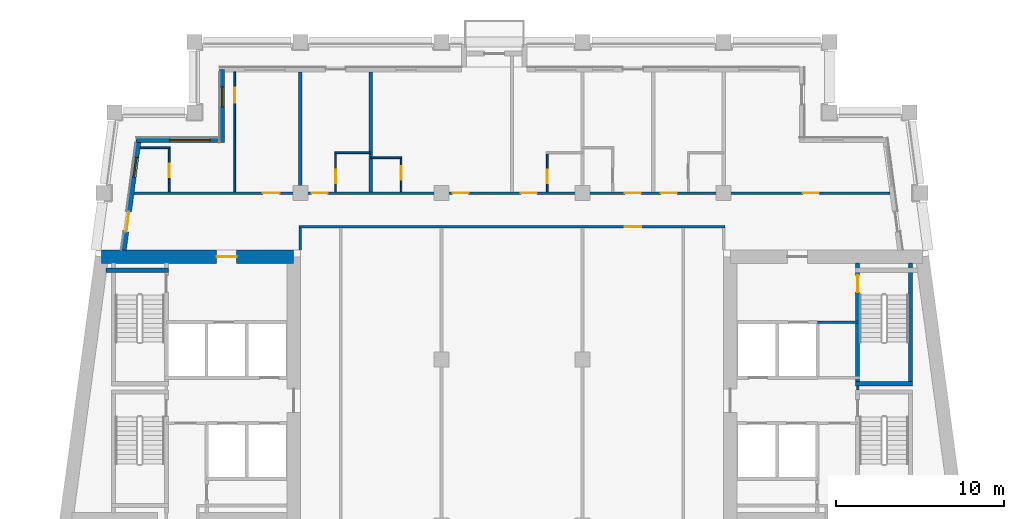
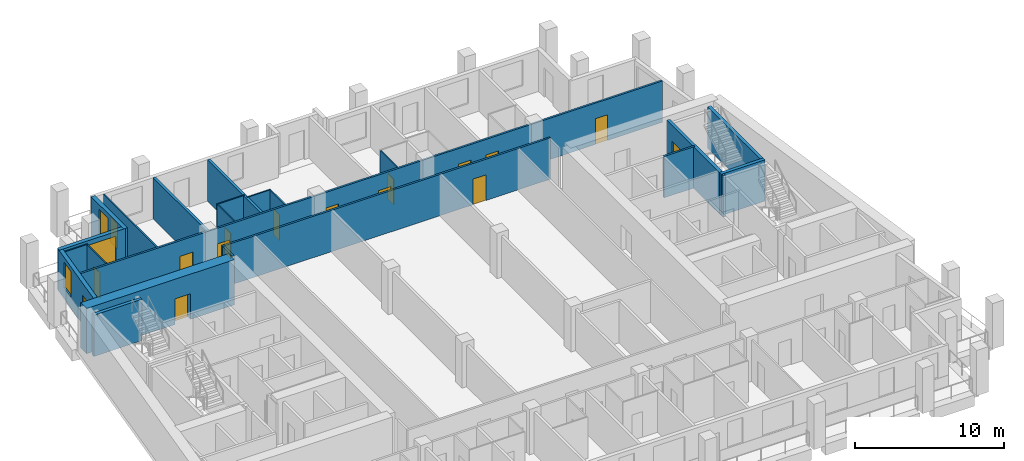
# One storey, part 6 of 13: 23 walls, 16 doors, 3 windows, 19 openings.
"""IFC4 building model written with IfcOpenShell, lengths in metres."""

import ifcopenshell
import ifcopenshell.guid

model = None  # the IFC model being written
_history = None  # IfcOwnerHistory: only IFC2X3 demands one
_inside = {}  # id of a spatial element -> (the spatial element, [elements in it])
_under = {}  # id of a project, library or spatial element -> (it, [spatial elements below it])
_declared = {}  # id of a project -> (the project, [libraries it declares])
_typed = {}  # id of a type object -> (the type object, [elements of that type])
_made_of = {}  # id of a material, layer set ... -> (it, [elements and type objects made of it])


def new_model(schema):
    """Start an empty IFC model of exactly this schema.

    Asked for "IFC4X3", IfcOpenShell would pick the latest addendum, in which some entities
    have other attributes; the version numbers below select the first issue.
    IFC2X3 requires an IfcOwnerHistory on every rooted entity: one is made here for all.
    """
    global model, _history
    if schema == "IFC4X3":
        model = ifcopenshell.file(schema_version=(4, 3, 0, 0))
    else:
        model = ifcopenshell.file(schema=schema)
    _inside.clear()
    _under.clear()
    _declared.clear()
    _typed.clear()
    _made_of.clear()
    _history = None
    if model.schema == "IFC2X3":
        org = make("IfcOrganization", Name="unknown")
        user = make(
            "IfcPersonAndOrganization",
            ThePerson=make("IfcPerson", FamilyName="unknown"),
            TheOrganization=org,
        )
        app = make(
            "IfcApplication",
            ApplicationDeveloper=org,
            Version="unknown",
            ApplicationFullName="unknown",
            ApplicationIdentifier="unknown",
        )
        _history = make(
            "IfcOwnerHistory",
            OwningUser=user,
            OwningApplication=app,
            ChangeAction="ADDED",
            CreationDate=0,
        )
    return model


def make(cls, **values):
    """One entity of the class cls with the attributes given. An attribute that is None is left unset."""
    return model.create_entity(
        cls, **{name: value for name, value in values.items() if value is not None}
    )


def rooted(cls, **values):
    """An entity with a GlobalId (a new one), such as an element, a storey or a relation."""
    return make(cls, GlobalId=ifcopenshell.guid.new(), OwnerHistory=_history, **values)


def si_unit(unit_type, name, prefix=None):
    """IfcSIUnit, for example si_unit("LENGTHUNIT", "METRE", prefix="MILLI")."""
    return make("IfcSIUnit", UnitType=unit_type, Prefix=prefix, Name=name)


def assignment(units):
    """IfcUnitAssignment: the units of a project."""
    return None if units is None else make("IfcUnitAssignment", Units=units)


def point(xyz):
    """IfcCartesianPoint."""
    return None if xyz is None else make("IfcCartesianPoint", Coordinates=xyz)


def direction(xyz):
    """IfcDirection."""
    return None if xyz is None else make("IfcDirection", DirectionRatios=xyz)


def frame(location, z_axis=None, x_axis=None):
    """IfcAxis2Placement3D, a coordinate frame: its origin and axes. An axis left out is left unset."""
    return make(
        "IfcAxis2Placement3D",
        Location=point(location),
        Axis=direction(z_axis),
        RefDirection=direction(x_axis),
    )


def frame_2d(location, x_axis=None):
    """IfcAxis2Placement2D, a coordinate frame in the plane: its origin and x axis."""
    return make(
        "IfcAxis2Placement2D", Location=point(location), RefDirection=direction(x_axis)
    )


def origin():
    """The frame at (0, 0, 0) with its axes left unset."""
    return frame((0.0, 0.0, 0.0))


def place(relative_to, where):
    """IfcLocalPlacement: puts the frame where relative to a parent placement (None: the world)."""
    return make(
        "IfcLocalPlacement", PlacementRelTo=relative_to, RelativePlacement=where
    )


def context(
    kind, dimensions, precision=None, world=None, true_north=None, identifier=None
):
    """IfcGeometricRepresentationContext, for example the 3D "Model" context."""
    return make(
        "IfcGeometricRepresentationContext",
        ContextIdentifier=identifier,
        ContextType=kind,
        CoordinateSpaceDimension=dimensions,
        Precision=precision,
        WorldCoordinateSystem=world,
        TrueNorth=true_north,
    )


def subcontext(parent, identifier, kind, view, scale=None):
    """IfcGeometricRepresentationSubContext, for example "Body" below "Model"."""
    return make(
        "IfcGeometricRepresentationSubContext",
        ContextIdentifier=identifier,
        ContextType=kind,
        ParentContext=parent,
        TargetScale=scale,
        TargetView=view,
    )


def project(units=None, contexts=None):
    """IfcProject with its units and contexts."""
    return rooted(
        "IfcProject",
        Name="project",
        RepresentationContexts=contexts,
        UnitsInContext=assignment(units),
    )


def spatial(cls, under=None, at=None, **own):
    """A site, building, storey or space (cls), placed at a placement, below another one or the project."""
    s = rooted(cls, ObjectPlacement=at, **own)
    if under is not None:
        _under.setdefault(under.id(), (under, []))[1].append(s)
    return s


def profile(cls, at=None, kind="AREA", **sizes):
    """A parametric profile (cls). Its sizes go by their IFC names, for example OverallWidth=200.0."""
    return make(cls, ProfileType=kind, Position=at, **sizes)


def rectangle(**sizes):
    """IfcRectangleProfileDef."""
    return profile("IfcRectangleProfileDef", **sizes)


def extrude(swept, where, along, depth):
    """IfcExtrudedAreaSolid: the profile swept, set in the frame where, extruded along a direction by depth."""
    return make(
        "IfcExtrudedAreaSolid",
        SweptArea=swept,
        Position=where,
        ExtrudedDirection=direction(along),
        Depth=depth,
    )


def shape(context_of_items, identifier, shape_type, items):
    """IfcShapeRepresentation: the items that make up one representation, for example the "Body"."""
    return make(
        "IfcShapeRepresentation",
        ContextOfItems=context_of_items,
        RepresentationIdentifier=identifier,
        RepresentationType=shape_type,
        Items=items,
    )


def material(Name=None, Category=None):
    """IfcMaterial."""
    return make("IfcMaterial", Name=Name, Category=Category)


def layer(
    of_material, thickness, ventilated=None, Name=None, Category=None, Priority=None
):
    """IfcMaterialLayer: one layer of a wall or slab, of a material (None: an air gap)."""
    return make(
        "IfcMaterialLayer",
        Material=of_material,
        LayerThickness=thickness,
        IsVentilated=ventilated,
        Name=Name,
        Category=Category,
        Priority=Priority,
    )


def layer_set(layers, Name=None):
    """IfcMaterialLayerSet."""
    return make("IfcMaterialLayerSet", MaterialLayers=layers, LayerSetName=Name)


def made_of(thing, what):
    """Note that an element or type object is made of a material, layer set ...; save() writes the relation."""
    if what is not None:
        _made_of.setdefault(what.id(), (what, []))[1].append(thing)
    return thing


def type_object(cls, material=None, **own):
    """A type object (cls), such as IfcWallType, which elements share."""
    return made_of(rooted(cls, **own), material)


def element(
    cls,
    number,
    at=None,
    inside=None,
    cuts=None,
    type_object=None,
    material=None,
    context=None,
    identifier="Body",
    shape_type=None,
    held_by="IfcProductDefinitionShape",
    body=None,
    shapes=None,
    **own,
):
    """One element of the class cls, such as IfcWall. Its Tag is "e" and its number.

    at: its placement. inside: the storey or other place that contains it. cuts: it is an
    opening in that element (IfcRelVoidsElement). A single representation is given by context,
    identifier, shape_type and body (its items); several are given by shapes. held_by: the class
    of the entity that holds the representations. save() writes the other relations.
    """
    e = rooted(cls, Tag="e%d" % number, ObjectPlacement=at, **own)
    if body is not None:
        shapes = [shape(context, identifier, shape_type, body)]
    if shapes is not None:
        e.Representation = make(held_by, Representations=shapes)
    if inside is not None:
        _inside.setdefault(inside.id(), (inside, []))[1].append(e)
    if cuts is not None:
        rooted(
            "IfcRelVoidsElement", RelatingBuildingElement=cuts, RelatedOpeningElement=e
        )
    if type_object is not None:
        _typed.setdefault(type_object.id(), (type_object, []))[1].append(e)
    return made_of(e, material)


def fill(opening, filler):
    """IfcRelFillsElement: the door or window that sits in an opening."""
    return rooted(
        "IfcRelFillsElement",
        RelatingOpeningElement=opening,
        RelatedBuildingElement=filler,
    )


def aggregate(whole, parts):
    """IfcRelAggregates: a whole, such as a stair, and the parts it consists of."""
    return rooted("IfcRelAggregates", RelatingObject=whole, RelatedObjects=parts)


def save(model, path):
    """Write the relations noted so far, then the file.

    IfcRelAggregates (storeys below a building ...), IfcRelContainedInSpatialStructure (elements
    in a storey), IfcRelDefinesByType, IfcRelAssociatesMaterial and IfcRelDeclares: one each for
    every whole, place, type object, material and project.
    """
    for whole, parts in _under.values():
        aggregate(whole, parts)
    for where, things in _inside.values():
        rooted(
            "IfcRelContainedInSpatialStructure",
            RelatedElements=things,
            RelatingStructure=where,
        )
    for kind, things in _typed.values():
        rooted("IfcRelDefinesByType", RelatedObjects=things, RelatingType=kind)
    for what, things in _made_of.values():
        rooted("IfcRelAssociatesMaterial", RelatedObjects=things, RelatingMaterial=what)
    for by, libraries in _declared.values():
        rooted("IfcRelDeclares", RelatingContext=by, RelatedDefinitions=libraries)
    model.write(path)


model = new_model("IFC4")

# Units and contexts
model_context = context("Model", 3, precision=1e-05, world=origin(), true_north=direction((0.0, 1.0)))
body_context = subcontext(model_context, "Body", "Model", "MODEL_VIEW")
ifc_project = project(units=[si_unit("LENGTHUNIT", "METRE"), si_unit("AREAUNIT", "SQUARE_METRE"), si_unit("VOLUMEUNIT", "CUBIC_METRE"), si_unit("PLANEANGLEUNIT", "RADIAN"), si_unit("MASSUNIT", "GRAM", prefix="KILO")], contexts=[model_context])

# Site, building, storey
site_placement = place(None, origin())
site = spatial("IfcSite", under=ifc_project, at=site_placement, CompositionType="ELEMENT")
building_placement = place(site_placement, origin())
building = spatial("IfcBuilding", under=site, at=building_placement, Name="Candeia Pilgrim Tower and Theatre", CompositionType="ELEMENT")
storey_placement = place(building_placement, frame((0.0, 0.0, 202.199951171875)))
storey = spatial("IfcBuildingStorey", under=building, at=storey_placement, Name="L48", CompositionType="ELEMENT", Elevation=202.199951171875)

# Wall, opening, door
ifc_material_1 = material(Name="Concrete C50/60", Category="concrete")
ifc_layer_1 = layer(ifc_material_1, 0.800048828125)
ifc_layer_set_1 = layer_set([ifc_layer_1], Name="Core wall 800 C50/60")
wall_type_1 = type_object("IfcWallType", Name="Core wall 800 C50/60", PredefinedType="SHEAR", material=ifc_layer_set_1)
wall_1_placement = place(storey_placement, frame((88.98046875, 132.0, 0.0), z_axis=(0.0, 0.0, 1.0), x_axis=(1.0, 0.0, 0.0)))
wall_1 = element("IfcWall", 1, at=wall_1_placement, inside=storey, type_object=wall_type_1, Name="Core wall W1", PredefinedType="SHEAR", context=body_context, shape_type="SweptSolid", body=[
    extrude(rectangle(XDim=11.41943359375, YDim=0.800048828125, at=frame_2d((5.709716796875, 0.0))), origin(), (0.0, 0.0, 1.0), 3.699951171875),
])
opening_1_placement = place(wall_1_placement, frame((6.8330078125, 0.0, 0.0)))
opening_1 = element("IfcOpeningElement", 2, at=opening_1_placement, cuts=wall_1, Name="Opening L48-D059", PredefinedType="OPENING", context=body_context, shape_type="SweptSolid", body=[
    extrude(rectangle(XDim=1.199951171875, YDim=2.10009765625, at=frame_2d((0.60009765625, 1.050048828125))), frame((0.0, 0.41015625, 0.0), z_axis=(0.0, -1.0, 0.0), x_axis=(1.0, 0.0, 0.0)), (0.0, 0.0, 1.0), 0.820068359375),
])
ifc_material_2 = material(Name="Steel fire door set", Category="steel")
door_type_1 = type_object("IfcDoorType", Name="D-1200-FD60", OperationType="NOTDEFINED", PredefinedType="DOOR", material=ifc_material_2)
door_1_placement = place(opening_1_placement, origin())
door_1 = element("IfcDoor", 3, at=door_1_placement, inside=storey, type_object=door_type_1, Name="Door L48-D059", OperationType="SINGLE_SWING_LEFT", OverallHeight=2.10009765625, OverallWidth=1.199951171875, PredefinedType="DOOR", context=body_context, shape_type="SweptSolid", body=[
    extrude(rectangle(XDim=1.199951171875, YDim=2.10009765625, at=frame_2d((0.60009765625, 1.050048828125))), frame((0.0, 0.02490234375, 0.0), z_axis=(0.0, -1.0, 0.0), x_axis=(1.0, 0.0, 0.0)), (0.0, 0.0, 1.0), 0.050048828125),
])
fill(opening_1, door_1)

# Wall, opening, window
ifc_material_3 = material(Name="Ceramic block masonry", Category="masonry")
ifc_layer_2 = layer(ifc_material_3, 0.300048828125)
ifc_layer_set_2 = layer_set([ifc_layer_2], Name="EW1 glazing-line wall 300")
wall_type_2 = type_object("IfcWallType", Name="EW1 glazing-line wall 300", PredefinedType="SOLIDWALL", material=ifc_layer_set_2)
wall_2_placement = place(storey_placement, frame((96.14990234375, 143.14990234375, 0.0), z_axis=(0.0, 0.0, 1.0), x_axis=(0.0, -1.0, 0.0)))
wall_2 = element("IfcWall", 4, at=wall_2_placement, inside=storey, type_object=wall_type_2, Name="External wall L48-7.0", PredefinedType="SOLIDWALL", context=body_context, shape_type="SweptSolid", body=[
    extrude(rectangle(XDim=4.349853515625, YDim=0.300048828125, at=frame_2d((2.1748046875, 0.0))), origin(), (0.0, 0.0, 1.0), 3.380126953125),
])
opening_2_placement = place(wall_2_placement, frame((1.02490234375, 0.0, 0.89990234375)))
opening_2 = element("IfcOpeningElement", 5, at=opening_2_placement, cuts=wall_2, Name="Opening W-B", PredefinedType="OPENING", context=body_context, shape_type="SweptSolid", body=[
    extrude(rectangle(XDim=1.199951171875, YDim=2.10009765625, at=frame_2d((0.60009765625, 1.050048828125))), frame((0.0, 0.16015625, 0.0), z_axis=(0.0, -1.0, 0.0), x_axis=(1.0, 0.0, 0.0)), (0.0, 0.0, 1.0), 0.320068359375),
])
ifc_material_4 = material(Name="Aluminium framed double glazing", Category="aluminium")
window_type_1 = type_object("IfcWindowType", Name="W-B window 1200x2100", PartitioningType="SINGLE_PANEL", PredefinedType="WINDOW", material=ifc_material_4)
window_1_placement = place(opening_2_placement, origin())
window_1 = element("IfcWindow", 6, at=window_1_placement, inside=storey, type_object=window_type_1, Name="Window W-B L48", OverallHeight=2.10009765625, OverallWidth=1.199951171875, PartitioningType="SINGLE_PANEL", PredefinedType="WINDOW", context=body_context, shape_type="SweptSolid", body=[
    extrude(rectangle(XDim=1.199951171875, YDim=2.10009765625, at=frame_2d((0.60009765625, 1.050048828125))), frame((0.0, 0.030029296875, 0.0), z_axis=(0.0, -1.0, 0.0), x_axis=(1.0, 0.0, 0.0)), (0.0, 0.0, 1.0), 0.06005859375),
])
fill(opening_2, window_1)

wall_3_placement = place(storey_placement, frame((96.14990234375, 138.949951171875, 0.0), z_axis=(0.0, 0.0, 1.0), x_axis=(-1.0, 0.0, 0.0)))
wall_3 = element("IfcWall", 7, at=wall_3_placement, inside=storey, type_object=wall_type_2, Name="External wall L48-8.0", PredefinedType="SOLIDWALL", context=body_context, shape_type="SweptSolid", body=[
    extrude(rectangle(XDim=5.103759765625, YDim=0.300048828125, at=frame_2d((2.5517578125, 0.0))), origin(), (0.0, 0.0, 1.0), 3.380126953125),
])
opening_3_placement = place(wall_3_placement, frame((0.72509765625, 0.0, 0.89990234375)))
opening_3 = element("IfcOpeningElement", 8, at=opening_3_placement, cuts=wall_3, Name="Opening W-A", PredefinedType="OPENING", context=body_context, shape_type="SweptSolid", body=[
    extrude(rectangle(XDim=2.39990234375, YDim=2.10009765625, at=frame_2d((1.199951171875, 1.050048828125))), frame((0.0, 0.16015625, 0.0), z_axis=(0.0, -1.0, 0.0), x_axis=(1.0, 0.0, 0.0)), (0.0, 0.0, 1.0), 0.320068359375),
])
window_type_2 = type_object("IfcWindowType", Name="W-A window 2400x2100", PartitioningType="DOUBLE_PANEL_VERTICAL", PredefinedType="WINDOW", material=ifc_material_4)
window_2_placement = place(opening_3_placement, origin())
window_2 = element("IfcWindow", 9, at=window_2_placement, inside=storey, type_object=window_type_2, Name="Window W-A L48", OverallHeight=2.10009765625, OverallWidth=2.39990234375, PartitioningType="SINGLE_PANEL", PredefinedType="WINDOW", context=body_context, shape_type="SweptSolid", body=[
    extrude(rectangle(XDim=2.39990234375, YDim=2.10009765625, at=frame_2d((1.199951171875, 1.050048828125))), frame((0.0, 0.030029296875, 0.0), z_axis=(0.0, -1.0, 0.0), x_axis=(1.0, 0.0, 0.0)), (0.0, 0.0, 1.0), 0.06005859375),
])
fill(opening_3, window_2)

# Wall, openings, door, window
wall_4_placement = place(storey_placement, frame((91.177490234375, 138.949951171875, 0.0), z_axis=(0.0, 0.0, 1.0), x_axis=(-0.133426664613, -0.991058689065, 0.0)))
wall_4 = element("IfcWall", 10, at=wall_4_placement, inside=storey, type_object=wall_type_2, Name="External wall L48-9.0", PredefinedType="SOLIDWALL", context=body_context, shape_type="SweptSolid", body=[
    extrude(rectangle(XDim=6.609130859375, YDim=0.300048828125, at=frame_2d((3.3046875, 0.0))), origin(), (0.0, 0.0, 1.0), 3.380126953125),
])
opening_4_placement = place(wall_4_placement, frame((1.039306640625, 0.0, 0.89990234375)))
opening_4 = element("IfcOpeningElement", 11, at=opening_4_placement, cuts=wall_4, Name="Opening W-B", PredefinedType="OPENING", context=body_context, shape_type="SweptSolid", body=[
    extrude(rectangle(XDim=1.199951171875, YDim=2.10009765625, at=frame_2d((0.60009765625, 1.050048828125))), frame((0.0, 0.16015625, 0.0), z_axis=(0.0, -1.0, 0.0), x_axis=(1.0, 0.0, 0.0)), (0.0, 0.0, 1.0), 0.320068359375),
])
opening_5_placement = place(wall_4_placement, frame((4.293701171875, 0.0, 0.0)))
opening_5 = element("IfcOpeningElement", 12, at=opening_5_placement, cuts=wall_4, Name="Opening L48-ED459", PredefinedType="OPENING", context=body_context, shape_type="SweptSolid", body=[
    extrude(rectangle(XDim=1.199951171875, YDim=2.39990234375, at=frame_2d((0.60009765625, 1.199951171875))), frame((0.0, 0.16015625, 0.0), z_axis=(0.0, -1.0, 0.0), x_axis=(1.0, 0.0, 0.0)), (0.0, 0.0, 1.0), 0.320068359375),
])
ifc_material_5 = material(Name="Aluminium framed glazed door", Category="aluminium")
door_type_2 = type_object("IfcDoorType", Name="Loggia door 1200x2400", OperationType="DOUBLE_DOOR_SINGLE_SWING", PredefinedType="DOOR", material=ifc_material_5)
door_2_placement = place(opening_5_placement, origin())
door_2 = element("IfcDoor", 13, at=door_2_placement, inside=storey, type_object=door_type_2, Name="Loggia door L48-ED459", OperationType="DOUBLE_DOOR_SINGLE_SWING", OverallHeight=2.39990234375, OverallWidth=1.199951171875, PredefinedType="DOOR", context=body_context, shape_type="SweptSolid", body=[
    extrude(rectangle(XDim=1.199951171875, YDim=2.39990234375, at=frame_2d((0.60009765625, 1.199951171875))), frame((0.0, 0.02490234375, 0.0), z_axis=(0.0, -1.0, 0.0), x_axis=(1.0, 0.0, 0.0)), (0.0, 0.0, 1.0), 0.050048828125),
])
fill(opening_5, door_2)
window_3_placement = place(opening_4_placement, origin())
window_3 = element("IfcWindow", 14, at=window_3_placement, inside=storey, type_object=window_type_1, Name="Window W-B L48", OverallHeight=2.10009765625, OverallWidth=1.199951171875, PartitioningType="SINGLE_PANEL", PredefinedType="WINDOW", context=body_context, shape_type="SweptSolid", body=[
    extrude(rectangle(XDim=1.199951171875, YDim=2.10009765625, at=frame_2d((0.60009765625, 1.050048828125))), frame((0.0, 0.030029296875, 0.0), z_axis=(0.0, -1.0, 0.0), x_axis=(1.0, 0.0, 0.0)), (0.0, 0.0, 1.0), 0.06005859375),
])
fill(opening_4, window_3)

# Walls
ifc_material_6 = material(Name="Gypsum board partition on steel studs", Category="steel")
ifc_layer_3 = layer(ifc_material_6, 0.10009765625)
ifc_layer_set_3 = layer_set([ifc_layer_3], Name="PW-100 room partition")
wall_type_3 = type_object("IfcWallType", Name="PW-100 room partition", PredefinedType="PARTITIONING", material=ifc_layer_set_3)
wall_5_placement = place(storey_placement, frame((105.0, 137.89990234375, 0.0), z_axis=(0.0, 0.0, 1.0), x_axis=(1.0, 0.0, 0.0)))
element("IfcWall", 15, at=wall_5_placement, inside=storey, type_object=wall_type_3, Name="Room partition L48-044", PredefinedType="PARTITIONING", context=body_context, shape_type="SweptSolid", body=[
    extrude(rectangle(XDim=1.85009765625, YDim=0.10009765625, at=frame_2d((0.925048828125, 0.0))), origin(), (0.0, 0.0, 1.0), 3.380126953125),
])
wall_6_placement = place(storey_placement, frame((102.85009765625, 138.199951171875, 0.0), z_axis=(0.0, 0.0, 1.0), x_axis=(1.0, 0.0, 0.0)))
element("IfcWall", 16, at=wall_6_placement, inside=storey, type_object=wall_type_3, Name="Room partition L48-045", PredefinedType="PARTITIONING", context=body_context, shape_type="SweptSolid", body=[
    extrude(rectangle(XDim=2.14990234375, YDim=0.10009765625, at=frame_2d((1.074951171875, 0.0))), origin(), (0.0, 0.0, 1.0), 3.380126953125),
])
wall_7_placement = place(storey_placement, frame((91.258056640625, 138.5, 0.0), z_axis=(0.0, 0.0, 1.0), x_axis=(1.0, 0.0, 0.0)))
element("IfcWall", 17, at=wall_7_placement, inside=storey, type_object=wall_type_3, Name="Room partition L48-048", PredefinedType="PARTITIONING", context=body_context, shape_type="SweptSolid", body=[
    extrude(rectangle(XDim=1.7919921875, YDim=0.10009765625, at=frame_2d((0.89599609375, 0.0))), origin(), (0.0, 0.0, 1.0), 3.380126953125),
])

# Wall, opening, door
wall_8_placement = place(storey_placement, frame((93.0, 135.875, 0.0), z_axis=(0.0, 0.0, 1.0), x_axis=(0.0, 1.0, 0.0)))
wall_8 = element("IfcWall", 18, at=wall_8_placement, inside=storey, type_object=wall_type_3, Name="Room partition L48-062", PredefinedType="PARTITIONING", context=body_context, shape_type="SweptSolid", body=[
    extrude(rectangle(XDim=2.574951171875, YDim=0.10009765625, at=frame_2d((1.28759765625, 0.0))), origin(), (0.0, 0.0, 1.0), 3.380126953125),
])
opening_6_placement = place(wall_8_placement, frame((0.875, 0.0, 0.0)))
opening_6 = element("IfcOpeningElement", 19, at=opening_6_placement, cuts=wall_8, Name="Opening L48-D041", PredefinedType="OPENING", context=body_context, shape_type="SweptSolid", body=[
    extrude(rectangle(XDim=0.800048828125, YDim=2.10009765625, at=frame_2d((0.39990234375, 1.050048828125))), frame((0.0, 0.06005859375, 0.0), z_axis=(0.0, -1.0, 0.0), x_axis=(1.0, 0.0, 0.0)), (0.0, 0.0, 1.0), 0.1201171875),
])
ifc_material_7 = material(Name="Timber door leaf", Category="wood")
door_type_3 = type_object("IfcDoorType", Name="D-800", OperationType="NOTDEFINED", PredefinedType="DOOR", material=ifc_material_7)
door_3_placement = place(opening_6_placement, origin())
door_3 = element("IfcDoor", 20, at=door_3_placement, inside=storey, type_object=door_type_3, Name="Door L48-D041", OperationType="SINGLE_SWING_LEFT", OverallHeight=2.10009765625, OverallWidth=0.800048828125, PredefinedType="DOOR", context=body_context, shape_type="SweptSolid", body=[
    extrude(rectangle(XDim=0.800048828125, YDim=2.10009765625, at=frame_2d((0.39990234375, 1.050048828125))), frame((0.0, 0.02490234375, 0.0), z_axis=(0.0, -1.0, 0.0), x_axis=(1.0, 0.0, 0.0)), (0.0, 0.0, 1.0), 0.050048828125),
])
fill(opening_6, door_3)

wall_9_placement = place(storey_placement, frame((96.89990234375, 135.875, 0.0), z_axis=(0.0, 0.0, 1.0), x_axis=(0.0, 1.0, 0.0)))
wall_9 = element("IfcWall", 21, at=wall_9_placement, inside=storey, type_object=wall_type_3, Name="Room partition L48-068", PredefinedType="PARTITIONING", context=body_context, shape_type="SweptSolid", body=[
    extrude(rectangle(XDim=7.135009765625, YDim=0.10009765625, at=frame_2d((3.5673828125, 0.0))), origin(), (0.0, 0.0, 1.0), 3.380126953125),
])
opening_7_placement = place(wall_9_placement, frame((5.2900390625, 0.0, 0.0)))
opening_7 = element("IfcOpeningElement", 22, at=opening_7_placement, cuts=wall_9, Name="Opening L48-D040", PredefinedType="OPENING", context=body_context, shape_type="SweptSolid", body=[
    extrude(rectangle(XDim=0.89990234375, YDim=2.10009765625, at=frame_2d((0.449951171875, 1.050048828125))), frame((0.0, 0.06005859375, 0.0), z_axis=(0.0, -1.0, 0.0), x_axis=(1.0, 0.0, 0.0)), (0.0, 0.0, 1.0), 0.1201171875),
])
door_type_4 = type_object("IfcDoorType", Name="D-900", OperationType="NOTDEFINED", PredefinedType="DOOR", material=ifc_material_7)
door_4_placement = place(opening_7_placement, origin())
door_4 = element("IfcDoor", 23, at=door_4_placement, inside=storey, type_object=door_type_4, Name="Door L48-D040", OperationType="SINGLE_SWING_RIGHT", OverallHeight=2.10009765625, OverallWidth=0.89990234375, PredefinedType="DOOR", context=body_context, shape_type="SweptSolid", body=[
    extrude(rectangle(XDim=0.89990234375, YDim=2.10009765625, at=frame_2d((0.449951171875, 1.050048828125))), frame((0.0, 0.02490234375, 0.0), z_axis=(0.0, -1.0, 0.0), x_axis=(1.0, 0.0, 0.0)), (0.0, 0.0, 1.0), 0.050048828125),
])
fill(opening_7, door_4)

wall_10_placement = place(storey_placement, frame((102.89990234375, 135.875, 0.0), z_axis=(0.0, 0.0, 1.0), x_axis=(0.0, 1.0, 0.0)))
wall_10 = element("IfcWall", 24, at=wall_10_placement, inside=storey, type_object=wall_type_3, Name="Room partition L48-077", PredefinedType="PARTITIONING", context=body_context, shape_type="SweptSolid", body=[
    extrude(rectangle(XDim=2.27490234375, YDim=0.10009765625, at=frame_2d((1.137451171875, 0.0))), origin(), (0.0, 0.0, 1.0), 3.380126953125),
])
opening_8_placement = place(wall_10_placement, frame((0.5, 0.0, 0.0)))
opening_8 = element("IfcOpeningElement", 25, at=opening_8_placement, cuts=wall_10, Name="Opening L48-D043", PredefinedType="OPENING", context=body_context, shape_type="SweptSolid", body=[
    extrude(rectangle(XDim=0.800048828125, YDim=2.10009765625, at=frame_2d((0.39990234375, 1.050048828125))), frame((0.0, 0.06005859375, 0.0), z_axis=(0.0, -1.0, 0.0), x_axis=(1.0, 0.0, 0.0)), (0.0, 0.0, 1.0), 0.1201171875),
])
door_5_placement = place(opening_8_placement, origin())
door_5 = element("IfcDoor", 26, at=door_5_placement, inside=storey, type_object=door_type_3, Name="Door L48-D043", OperationType="SINGLE_SWING_LEFT", OverallHeight=2.10009765625, OverallWidth=0.800048828125, PredefinedType="DOOR", context=body_context, shape_type="SweptSolid", body=[
    extrude(rectangle(XDim=0.800048828125, YDim=2.10009765625, at=frame_2d((0.39990234375, 1.050048828125))), frame((0.0, 0.02490234375, 0.0), z_axis=(0.0, -1.0, 0.0), x_axis=(1.0, 0.0, 0.0)), (0.0, 0.0, 1.0), 0.050048828125),
])
fill(opening_8, door_5)

wall_11_placement = place(storey_placement, frame((106.800048828125, 135.875, 0.0), z_axis=(0.0, 0.0, 1.0), x_axis=(0.0, 1.0, 0.0)))
wall_11 = element("IfcWall", 27, at=wall_11_placement, inside=storey, type_object=wall_type_3, Name="Room partition L48-082", PredefinedType="PARTITIONING", context=body_context, shape_type="SweptSolid", body=[
    extrude(rectangle(XDim=1.97509765625, YDim=0.10009765625, at=frame_2d((0.987548828125, 0.0))), origin(), (0.0, 0.0, 1.0), 3.380126953125),
])
opening_9_placement = place(wall_11_placement, frame((0.72509765625, 0.0, 0.0)))
opening_9 = element("IfcOpeningElement", 28, at=opening_9_placement, cuts=wall_11, Name="Opening L48-D045", PredefinedType="OPENING", context=body_context, shape_type="SweptSolid", body=[
    extrude(rectangle(XDim=0.800048828125, YDim=2.10009765625, at=frame_2d((0.39990234375, 1.050048828125))), frame((0.0, 0.06005859375, 0.0), z_axis=(0.0, -1.0, 0.0), x_axis=(1.0, 0.0, 0.0)), (0.0, 0.0, 1.0), 0.1201171875),
])
door_6_placement = place(opening_9_placement, origin())
door_6 = element("IfcDoor", 29, at=door_6_placement, inside=storey, type_object=door_type_3, Name="Door L48-D045", OperationType="SINGLE_SWING_LEFT", OverallHeight=2.10009765625, OverallWidth=0.800048828125, PredefinedType="DOOR", context=body_context, shape_type="SweptSolid", body=[
    extrude(rectangle(XDim=0.800048828125, YDim=2.10009765625, at=frame_2d((0.39990234375, 1.050048828125))), frame((0.0, 0.02490234375, 0.0), z_axis=(0.0, -1.0, 0.0), x_axis=(1.0, 0.0, 0.0)), (0.0, 0.0, 1.0), 0.050048828125),
])
fill(opening_9, door_6)

wall_12_placement = place(storey_placement, frame((115.5, 135.875, 0.0), z_axis=(0.0, 0.0, 1.0), x_axis=(0.0, 1.0, 0.0)))
wall_12 = element("IfcWall", 30, at=wall_12_placement, inside=storey, type_object=wall_type_3, Name="Room partition L48-090", PredefinedType="PARTITIONING", context=body_context, shape_type="SweptSolid", body=[
    extrude(rectangle(XDim=2.27490234375, YDim=0.10009765625, at=frame_2d((1.137451171875, 0.0))), origin(), (0.0, 0.0, 1.0), 3.380126953125),
])
opening_10_placement = place(wall_12_placement, frame((0.5, 0.0, 0.0)))
opening_10 = element("IfcOpeningElement", 31, at=opening_10_placement, cuts=wall_12, Name="Opening L48-D047", PredefinedType="OPENING", context=body_context, shape_type="SweptSolid", body=[
    extrude(rectangle(XDim=0.800048828125, YDim=2.10009765625, at=frame_2d((0.39990234375, 1.050048828125))), frame((0.0, 0.06005859375, 0.0), z_axis=(0.0, -1.0, 0.0), x_axis=(1.0, 0.0, 0.0)), (0.0, 0.0, 1.0), 0.1201171875),
])
door_7_placement = place(opening_10_placement, origin())
door_7 = element("IfcDoor", 32, at=door_7_placement, inside=storey, type_object=door_type_3, Name="Door L48-D047", OperationType="SINGLE_SWING_LEFT", OverallHeight=2.10009765625, OverallWidth=0.800048828125, PredefinedType="DOOR", context=body_context, shape_type="SweptSolid", body=[
    extrude(rectangle(XDim=0.800048828125, YDim=2.10009765625, at=frame_2d((0.39990234375, 1.050048828125))), frame((0.0, 0.02490234375, 0.0), z_axis=(0.0, -1.0, 0.0), x_axis=(1.0, 0.0, 0.0)), (0.0, 0.0, 1.0), 0.050048828125),
])
fill(opening_10, door_7)

# Walls
ifc_layer_4 = layer(ifc_material_6, 0.14990234375)
ifc_layer_set_4 = layer_set([ifc_layer_4], Name="PW-150 lobby wall")
wall_type_4 = type_object("IfcWallType", Name="PW-150 lobby wall", PredefinedType="PARTITIONING", material=ifc_layer_set_4)
wall_13_placement = place(storey_placement, frame((131.58203125, 128.10009765625, 0.0), z_axis=(0.0, 0.0, 1.0), x_axis=(1.0, 0.0, 0.0)))
element("IfcWall", 33, at=wall_13_placement, inside=storey, type_object=wall_type_4, Name="Lobby wall L48-039", PredefinedType="PARTITIONING", context=body_context, shape_type="SweptSolid", body=[
    extrude(rectangle(XDim=2.390869140625, YDim=0.14990234375, at=frame_2d((1.1953125, 0.0))), origin(), (0.0, 0.0, 1.0), 3.380126953125),
])
wall_14_placement = place(storey_placement, frame((133.972900390625, 124.074951171875, 0.0), z_axis=(0.0, 0.0, 1.0), x_axis=(0.0, 1.0, 0.0)))
element("IfcWall", 34, at=wall_14_placement, inside=storey, type_object=wall_type_4, Name="Lobby wall L48-117", PredefinedType="PARTITIONING", context=body_context, shape_type="SweptSolid", body=[
    extrude(rectangle(XDim=0.25, YDim=0.14990234375, at=frame_2d((0.125, 0.0))), origin(), (0.0, 0.0, 1.0), 3.380126953125),
])

# Wall, opening, door
ifc_layer_5 = layer(ifc_material_6, 0.14990234375)
ifc_layer_set_5 = layer_set([ifc_layer_5], Name="PW-150 unit wall")
wall_type_5 = type_object("IfcWallType", Name="PW-150 unit wall", PredefinedType="PARTITIONING", material=ifc_layer_set_5)
wall_15_placement = place(storey_placement, frame((100.72509765625, 133.800048828125, 0.0), z_axis=(0.0, 0.0, 1.0), x_axis=(1.0, 0.0, 0.0)))
wall_15 = element("IfcWall", 35, at=wall_15_placement, inside=storey, type_object=wall_type_5, Name="Unit wall L48-042", PredefinedType="PARTITIONING", context=body_context, shape_type="SweptSolid", body=[
    extrude(rectangle(XDim=25.349853515625, YDim=0.14990234375, at=frame_2d((12.6748046875, 0.0))), origin(), (0.0, 0.0, 1.0), 3.380126953125),
])
opening_11_placement = place(wall_15_placement, frame((19.375, 0.0, 0.0)))
opening_11 = element("IfcOpeningElement", 36, at=opening_11_placement, cuts=wall_15, Name="Opening L48-D057", PredefinedType="OPENING", context=body_context, shape_type="SweptSolid", body=[
    extrude(rectangle(XDim=1.0, YDim=2.10009765625, at=frame_2d((0.5, 1.050048828125))), frame((0.0, 0.0849609375, 0.0), z_axis=(0.0, -1.0, 0.0), x_axis=(1.0, 0.0, 0.0)), (0.0, 0.0, 1.0), 0.169921875),
])
door_type_5 = type_object("IfcDoorType", Name="D-1000-FD30S", OperationType="NOTDEFINED", PredefinedType="DOOR", material=ifc_material_2)
door_8_placement = place(opening_11_placement, origin())
door_8 = element("IfcDoor", 37, at=door_8_placement, inside=storey, type_object=door_type_5, Name="Door L48-D057", OperationType="SINGLE_SWING_LEFT", OverallHeight=2.10009765625, OverallWidth=1.0, PredefinedType="DOOR", context=body_context, shape_type="SweptSolid", body=[
    extrude(rectangle(XDim=1.0, YDim=2.10009765625, at=frame_2d((0.5, 1.050048828125))), frame((0.0, 0.02490234375, 0.0), z_axis=(0.0, -1.0, 0.0), x_axis=(1.0, 0.0, 0.0)), (0.0, 0.0, 1.0), 0.050048828125),
])
fill(opening_11, door_8)

# Wall, openings, doors
wall_16_placement = place(storey_placement, frame((90.89453125, 135.800048828125, 0.0), z_axis=(0.0, 0.0, 1.0), x_axis=(1.0, 0.0, 0.0)))
wall_16 = element("IfcWall", 38, at=wall_16_placement, inside=storey, type_object=wall_type_5, Name="Unit wall L48-043", PredefinedType="PARTITIONING", context=body_context, shape_type="SweptSolid", body=[
    extrude(rectangle(XDim=45.010986328125, YDim=0.14990234375, at=frame_2d((22.50537109375, 0.0))), origin(), (0.0, 0.0, 1.0), 3.380126953125),
])
opening_12_placement = place(wall_16_placement, frame((7.67529296875, 0.0, 0.0)))
opening_12 = element("IfcOpeningElement", 39, at=opening_12_placement, cuts=wall_16, Name="Opening L48-D039", PredefinedType="OPENING", context=body_context, shape_type="SweptSolid", body=[
    extrude(rectangle(XDim=1.0, YDim=2.10009765625, at=frame_2d((0.5, 1.050048828125))), frame((0.0, 0.0849609375, 0.0), z_axis=(0.0, -1.0, 0.0), x_axis=(1.0, 0.0, 0.0)), (0.0, 0.0, 1.0), 0.169921875),
])
opening_13_placement = place(wall_16_placement, frame((10.575439453125, 0.0, 0.0)))
opening_13 = element("IfcOpeningElement", 40, at=opening_13_placement, cuts=wall_16, Name="Opening L48-D042", PredefinedType="OPENING", context=body_context, shape_type="SweptSolid", body=[
    extrude(rectangle(XDim=0.949951171875, YDim=2.10009765625, at=frame_2d((0.47509765625, 1.050048828125))), frame((0.0, 0.0849609375, 0.0), z_axis=(0.0, -1.0, 0.0), x_axis=(1.0, 0.0, 0.0)), (0.0, 0.0, 1.0), 0.169921875),
])
opening_14_placement = place(wall_16_placement, frame((18.978515625, 0.0, 0.0)))
opening_14 = element("IfcOpeningElement", 41, at=opening_14_placement, cuts=wall_16, Name="Opening L48-D044", PredefinedType="OPENING", context=body_context, shape_type="SweptSolid", body=[
    extrude(rectangle(XDim=0.949951171875, YDim=2.10009765625, at=frame_2d((0.47509765625, 1.050048828125))), frame((0.0, 0.0849609375, 0.0), z_axis=(0.0, -1.0, 0.0), x_axis=(1.0, 0.0, 0.0)), (0.0, 0.0, 1.0), 0.169921875),
])
opening_15_placement = place(wall_16_placement, frame((23.035400390625, 0.0, 0.0)))
opening_15 = element("IfcOpeningElement", 42, at=opening_15_placement, cuts=wall_16, Name="Opening L48-D046", PredefinedType="OPENING", context=body_context, shape_type="SweptSolid", body=[
    extrude(rectangle(XDim=0.949951171875, YDim=2.10009765625, at=frame_2d((0.47509765625, 1.050048828125))), frame((0.0, 0.0849609375, 0.0), z_axis=(0.0, -1.0, 0.0), x_axis=(1.0, 0.0, 0.0)), (0.0, 0.0, 1.0), 0.169921875),
])
opening_16_placement = place(wall_16_placement, frame((29.23046875, 0.0, 0.0)))
opening_16 = element("IfcOpeningElement", 43, at=opening_16_placement, cuts=wall_16, Name="Opening L48-D048", PredefinedType="OPENING", context=body_context, shape_type="SweptSolid", body=[
    extrude(rectangle(XDim=0.949951171875, YDim=2.10009765625, at=frame_2d((0.47509765625, 1.050048828125))), frame((0.0, 0.0849609375, 0.0), z_axis=(0.0, -1.0, 0.0), x_axis=(1.0, 0.0, 0.0)), (0.0, 0.0, 1.0), 0.169921875),
])
opening_17_placement = place(wall_16_placement, frame((31.367431640625, 0.0, 0.0)))
opening_17 = element("IfcOpeningElement", 44, at=opening_17_placement, cuts=wall_16, Name="Opening L48-D050", PredefinedType="OPENING", context=body_context, shape_type="SweptSolid", body=[
    extrude(rectangle(XDim=0.949951171875, YDim=2.10009765625, at=frame_2d((0.47509765625, 1.050048828125))), frame((0.0, 0.0849609375, 0.0), z_axis=(0.0, -1.0, 0.0), x_axis=(1.0, 0.0, 0.0)), (0.0, 0.0, 1.0), 0.169921875),
])
opening_18_placement = place(wall_16_placement, frame((39.814453125, 0.0, 0.0)))
opening_18 = element("IfcOpeningElement", 45, at=opening_18_placement, cuts=wall_16, Name="Opening L48-D052", PredefinedType="OPENING", context=body_context, shape_type="SweptSolid", body=[
    extrude(rectangle(XDim=0.949951171875, YDim=2.10009765625, at=frame_2d((0.47509765625, 1.050048828125))), frame((0.0, 0.0849609375, 0.0), z_axis=(0.0, -1.0, 0.0), x_axis=(1.0, 0.0, 0.0)), (0.0, 0.0, 1.0), 0.169921875),
])
door_9_placement = place(opening_12_placement, origin())
door_9 = element("IfcDoor", 46, at=door_9_placement, inside=storey, type_object=door_type_5, Name="Door L48-D039", OperationType="SINGLE_SWING_LEFT", OverallHeight=2.10009765625, OverallWidth=1.0, PredefinedType="DOOR", context=body_context, shape_type="SweptSolid", body=[
    extrude(rectangle(XDim=1.0, YDim=2.10009765625, at=frame_2d((0.5, 1.050048828125))), frame((0.0, 0.02490234375, 0.0), z_axis=(0.0, -1.0, 0.0), x_axis=(1.0, 0.0, 0.0)), (0.0, 0.0, 1.0), 0.050048828125),
])
fill(opening_12, door_9)
door_type_6 = type_object("IfcDoorType", Name="D-950-FD30S", OperationType="NOTDEFINED", PredefinedType="DOOR", material=ifc_material_2)
door_10_placement = place(opening_13_placement, origin())
door_10 = element("IfcDoor", 47, at=door_10_placement, inside=storey, type_object=door_type_6, Name="Door L48-D042", OperationType="SINGLE_SWING_RIGHT", OverallHeight=2.10009765625, OverallWidth=0.949951171875, PredefinedType="DOOR", context=body_context, shape_type="SweptSolid", body=[
    extrude(rectangle(XDim=0.949951171875, YDim=2.10009765625, at=frame_2d((0.47509765625, 1.050048828125))), frame((0.0, 0.02490234375, 0.0), z_axis=(0.0, -1.0, 0.0), x_axis=(1.0, 0.0, 0.0)), (0.0, 0.0, 1.0), 0.050048828125),
])
fill(opening_13, door_10)
door_11_placement = place(opening_14_placement, origin())
door_11 = element("IfcDoor", 48, at=door_11_placement, inside=storey, type_object=door_type_6, Name="Door L48-D044", OperationType="SINGLE_SWING_RIGHT", OverallHeight=2.10009765625, OverallWidth=0.949951171875, PredefinedType="DOOR", context=body_context, shape_type="SweptSolid", body=[
    extrude(rectangle(XDim=0.949951171875, YDim=2.10009765625, at=frame_2d((0.47509765625, 1.050048828125))), frame((0.0, 0.02490234375, 0.0), z_axis=(0.0, -1.0, 0.0), x_axis=(1.0, 0.0, 0.0)), (0.0, 0.0, 1.0), 0.050048828125),
])
fill(opening_14, door_11)
door_12_placement = place(opening_15_placement, origin())
door_12 = element("IfcDoor", 49, at=door_12_placement, inside=storey, type_object=door_type_6, Name="Door L48-D046", OperationType="SINGLE_SWING_RIGHT", OverallHeight=2.10009765625, OverallWidth=0.949951171875, PredefinedType="DOOR", context=body_context, shape_type="SweptSolid", body=[
    extrude(rectangle(XDim=0.949951171875, YDim=2.10009765625, at=frame_2d((0.47509765625, 1.050048828125))), frame((0.0, 0.02490234375, 0.0), z_axis=(0.0, -1.0, 0.0), x_axis=(1.0, 0.0, 0.0)), (0.0, 0.0, 1.0), 0.050048828125),
])
fill(opening_15, door_12)
door_13_placement = place(opening_16_placement, origin())
door_13 = element("IfcDoor", 50, at=door_13_placement, inside=storey, type_object=door_type_6, Name="Door L48-D048", OperationType="SINGLE_SWING_RIGHT", OverallHeight=2.10009765625, OverallWidth=0.949951171875, PredefinedType="DOOR", context=body_context, shape_type="SweptSolid", body=[
    extrude(rectangle(XDim=0.949951171875, YDim=2.10009765625, at=frame_2d((0.47509765625, 1.050048828125))), frame((0.0, 0.02490234375, 0.0), z_axis=(0.0, -1.0, 0.0), x_axis=(1.0, 0.0, 0.0)), (0.0, 0.0, 1.0), 0.050048828125),
])
fill(opening_16, door_13)
door_14_placement = place(opening_17_placement, origin())
door_14 = element("IfcDoor", 51, at=door_14_placement, inside=storey, type_object=door_type_6, Name="Door L48-D050", OperationType="SINGLE_SWING_RIGHT", OverallHeight=2.10009765625, OverallWidth=0.949951171875, PredefinedType="DOOR", context=body_context, shape_type="SweptSolid", body=[
    extrude(rectangle(XDim=0.949951171875, YDim=2.10009765625, at=frame_2d((0.47509765625, 1.050048828125))), frame((0.0, 0.02490234375, 0.0), z_axis=(0.0, -1.0, 0.0), x_axis=(1.0, 0.0, 0.0)), (0.0, 0.0, 1.0), 0.050048828125),
])
fill(opening_17, door_14)
door_15_placement = place(opening_18_placement, origin())
door_15 = element("IfcDoor", 52, at=door_15_placement, inside=storey, type_object=door_type_6, Name="Door L48-D052", OperationType="SINGLE_SWING_RIGHT", OverallHeight=2.10009765625, OverallWidth=0.949951171875, PredefinedType="DOOR", context=body_context, shape_type="SweptSolid", body=[
    extrude(rectangle(XDim=0.949951171875, YDim=2.10009765625, at=frame_2d((0.47509765625, 1.050048828125))), frame((0.0, 0.02490234375, 0.0), z_axis=(0.0, -1.0, 0.0), x_axis=(1.0, 0.0, 0.0)), (0.0, 0.0, 1.0), 0.050048828125),
])
fill(opening_18, door_15)

# Walls
wall_17_placement = place(storey_placement, frame((100.800048828125, 132.39990234375, 0.0), z_axis=(0.0, 0.0, 1.0), x_axis=(0.0, 1.0, 0.0)))
element("IfcWall", 53, at=wall_17_placement, inside=storey, type_object=wall_type_5, Name="Unit wall L48-076", PredefinedType="PARTITIONING", context=body_context, shape_type="SweptSolid", body=[
    extrude(rectangle(XDim=1.3251953125, YDim=0.14990234375, at=frame_2d((0.66259765625, 0.0))), origin(), (0.0, 0.0, 1.0), 3.380126953125),
])
ifc_layer_6 = layer(ifc_material_6, 0.199951171875)
ifc_layer_set_6 = layer_set([ifc_layer_6], Name="PW-200 party wall")
wall_type_6 = type_object("IfcWallType", Name="PW-200 party wall", PredefinedType="PARTITIONING", material=ifc_layer_set_6)
for number, where, z_axis, x_axis, name in (
    (54, (100.800048828125, 135.875, 0.0), (0.0, 0.0, 1.0), (0.0, 1.0, 0.0), "Party wall L48-074"),
    (55, (105.0, 135.875, 0.0), (0.0, 0.0, 1.0), (0.0, 1.0, 0.0), "Party wall L48-081"),
):
    element("IfcWall", number, at=place(storey_placement, frame(where, z_axis=z_axis, x_axis=x_axis)), inside=storey, type_object=wall_type_6, Name=name, PredefinedType="PARTITIONING", context=body_context, shape_type="SweptSolid", body=[
        extrude(rectangle(XDim=7.135009765625, YDim=0.199951171875, at=frame_2d((3.5673828125, 0.0))), origin(), (0.0, 0.0, 1.0), 3.380126953125),
    ])
ifc_material_8 = material(Name="Concrete C40/50", Category="concrete")
ifc_layer_7 = layer(ifc_material_8, 0.25)
ifc_layer_set_7 = layer_set([ifc_layer_7], Name="SW-250 stair wall")
wall_type_7 = type_object("IfcWallType", Name="SW-250 stair wall", PredefinedType="PARTITIONING", material=ifc_layer_set_7)
wall_18_placement = place(storey_placement, frame((133.847900390625, 124.449951171875, 0.0), z_axis=(0.0, 0.0, 1.0), x_axis=(1.0, 0.0, 0.0)))
element("IfcWall", 56, at=wall_18_placement, inside=storey, type_object=wall_type_7, Name="Stair wall L48-033", PredefinedType="PARTITIONING", context=body_context, shape_type="SweptSolid", body=[
    extrude(rectangle(XDim=3.400146484375, YDim=0.25, at=frame_2d((1.7001953125, 0.0))), origin(), (0.0, 0.0, 1.0), 3.380126953125),
])
wall_19_placement = place(storey_placement, frame((89.246337890625, 131.199951171875, 0.0), z_axis=(0.0, 0.0, 1.0), x_axis=(1.0, 0.0, 0.0)))
element("IfcWall", 57, at=wall_19_placement, inside=storey, type_object=wall_type_7, Name="Stair wall L48-040", PredefinedType="PARTITIONING", context=body_context, shape_type="SweptSolid", body=[
    extrude(rectangle(XDim=3.70556640625, YDim=0.25, at=frame_2d((1.852783203125, 0.0))), origin(), (0.0, 0.0, 1.0), 3.380126953125),
])

# Wall, opening, door
wall_20_placement = place(storey_placement, frame((133.972900390625, 124.574951171875, 0.0), z_axis=(0.0, 0.0, 1.0), x_axis=(0.0, 1.0, 0.0)))
wall_20 = element("IfcWall", 58, at=wall_20_placement, inside=storey, type_object=wall_type_7, Name="Stair wall L48-119", PredefinedType="PARTITIONING", context=body_context, shape_type="SweptSolid", body=[
    extrude(rectangle(XDim=7.054931640625, YDim=0.25, at=frame_2d((3.52734375, 0.0))), origin(), (0.0, 0.0, 1.0), 3.380126953125),
])
opening_19_placement = place(wall_20_placement, frame((5.324951171875, 0.0, 0.0)))
opening_19 = element("IfcOpeningElement", 59, at=opening_19_placement, cuts=wall_20, Name="Opening L48-D011", PredefinedType="OPENING", context=body_context, shape_type="SweptSolid", body=[
    extrude(rectangle(XDim=1.0, YDim=2.10009765625, at=frame_2d((0.5, 1.050048828125))), frame((0.0, 0.135009765625, 0.0), z_axis=(0.0, -1.0, 0.0), x_axis=(1.0, 0.0, 0.0)), (0.0, 0.0, 1.0), 0.27001953125),
])
door_type_7 = type_object("IfcDoorType", Name="D-1000-FD60", OperationType="NOTDEFINED", PredefinedType="DOOR", material=ifc_material_2)
door_16_placement = place(opening_19_placement, origin())
door_16 = element("IfcDoor", 60, at=door_16_placement, inside=storey, type_object=door_type_7, Name="Door L48-D011", OperationType="SINGLE_SWING_LEFT", OverallHeight=2.10009765625, OverallWidth=1.0, PredefinedType="DOOR", context=body_context, shape_type="SweptSolid", body=[
    extrude(rectangle(XDim=1.0, YDim=2.10009765625, at=frame_2d((0.5, 1.050048828125))), frame((0.0, 0.02490234375, 0.0), z_axis=(0.0, -1.0, 0.0), x_axis=(1.0, 0.0, 0.0)), (0.0, 0.0, 1.0), 0.050048828125),
])
fill(opening_19, door_16)

# Wall
wall_21_placement = place(storey_placement, frame((137.123046875, 124.574951171875, 0.0), z_axis=(0.0, 0.0, 1.0), x_axis=(0.0, 1.0, 0.0)))
element("IfcWall", 61, at=wall_21_placement, inside=storey, type_object=wall_type_7, Name="Stair wall L48-123", PredefinedType="PARTITIONING", context=body_context, shape_type="SweptSolid", body=[
    extrude(rectangle(XDim=7.054931640625, YDim=0.25, at=frame_2d((3.52734375, 0.0))), origin(), (0.0, 0.0, 1.0), 3.380126953125),
])

save(model, "model.ifc")
